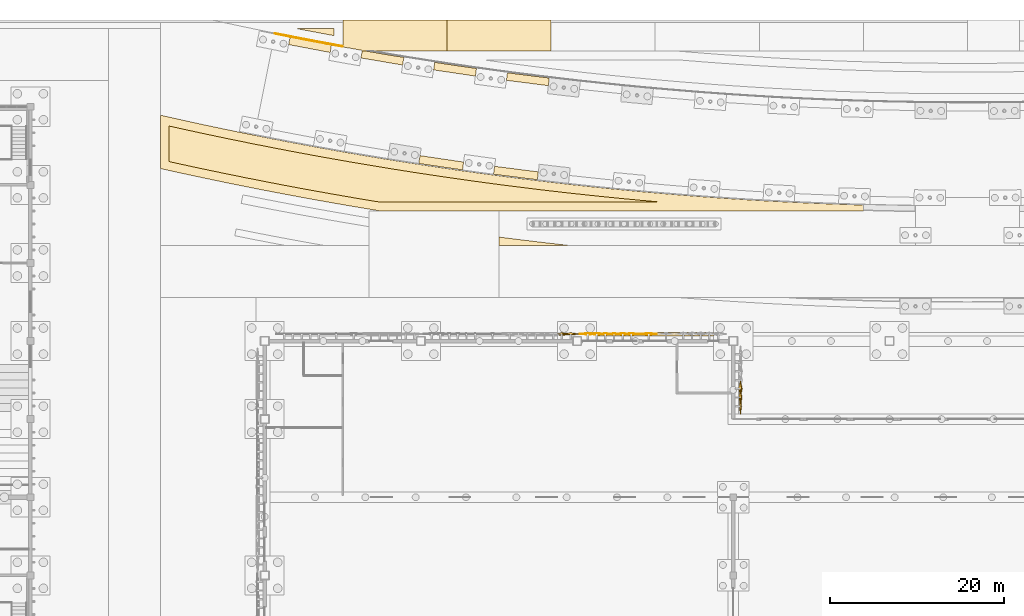
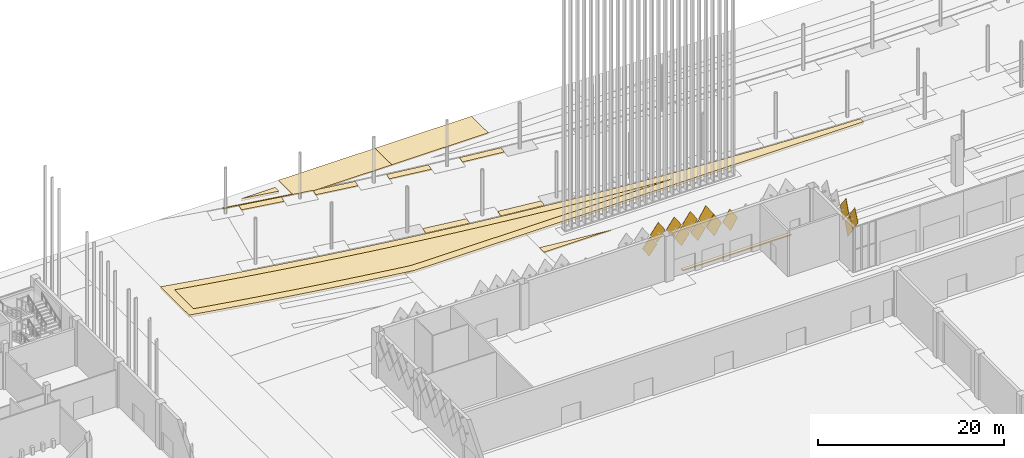
# One storey, part 171 of 198: 26 coverings.
"""IFC4 building model written with IfcOpenShell, lengths in metres."""

from ifc_helpers import new_model, si_unit, direction, frame, origin, place, context, subcontext, project, spatial, polyline, outline, extrude, material, layer, layer_set, material_profile, profile_set, type_object, element, save


model = new_model("IFC4")

# Units and contexts
model_context = context("Model", 3, precision=1e-05, world=origin(), true_north=direction((0.0, 1.0)))
body_context = subcontext(model_context, "Body", "Model", "MODEL_VIEW")
ifc_project = project(units=[si_unit("LENGTHUNIT", "METRE"), si_unit("AREAUNIT", "SQUARE_METRE"), si_unit("VOLUMEUNIT", "CUBIC_METRE"), si_unit("PLANEANGLEUNIT", "RADIAN"), si_unit("MASSUNIT", "GRAM", prefix="KILO")], contexts=[model_context])

# Site, building, storey
site_placement = place(None, origin())
site = spatial("IfcSite", under=ifc_project, at=site_placement, CompositionType="ELEMENT")
building_placement = place(site_placement, origin())
building = spatial("IfcBuilding", under=site, at=building_placement, Name="Opaline Strait Convention Centre", CompositionType="ELEMENT")
storey_placement = place(building_placement, origin())
storey = spatial("IfcBuildingStorey", under=building, at=storey_placement, Name="L00", CompositionType="ELEMENT", Elevation=0.0)

# Coverings
ifc_material_1 = material(Name="Asphalt road surfacing")
ifc_layer_1 = layer(ifc_material_1, 0.14990234375)
ifc_layer_set_1 = layer_set([ifc_layer_1], Name="Asphalt road surfacing")
covering_type_1 = type_object("IfcCoveringType", Name="Asphalt road surfacing 150", PredefinedType="FLOORING", material=ifc_layer_set_1)
covering_1_placement = place(storey_placement, frame((0.0, 0.0, -0.14990234375)))
element("IfcCovering", 1, at=covering_1_placement, inside=storey, type_object=covering_type_1, Name="Coach Bay 1 surfacing", PredefinedType="FLOORING", context=body_context, shape_type="SweptSolid", body=[
    extrude(outline(polyline([(120.0, 190.0), (108.0, 190.0), (108.0, 186.898681640625), (110.250732421875, 186.495361328125), (110.233642578125, 186.39990234375), (120.0, 186.39990234375), (120.0, 190.0)])), origin(), (0.0, 0.0, 1.0), 0.14990234375),
])
covering_2_placement = place(storey_placement, frame((0.0, 0.0, -0.14990234375)))
element("IfcCovering", 2, at=covering_2_placement, inside=storey, type_object=covering_type_1, Name="Coach Bay 2 surfacing", PredefinedType="FLOORING", context=body_context, shape_type="SweptSolid", body=[
    extrude(outline(polyline([(120.0, 190.0), (120.0, 186.39990234375), (132.0, 186.39990234375), (132.0, 190.0), (120.0, 190.0)])), origin(), (0.0, 0.0, 1.0), 0.14990234375),
])
ifc_material_2 = material(Name="White ceramic-faced aluminium tile", Category="aluminium")
ifc_material_profile_1 = material_profile(ifc_material_2, outline(polyline([(0.927978515625, 0.0), (0.0, 1.39208984375), (-0.927978515625, 0.0), (0.0, -1.39208984375), (0.927978515625, 0.0)])), Name="Diamond tile 1856x2784")
ifc_profile_set_1 = profile_set([ifc_material_profile_1], Name="White ceramic-faced aluminium tile")
covering_type_2 = type_object("IfcCoveringType", Name="Diamond wall tile 1856x2784x30 pivot 2.5 deg", PredefinedType="CLADDING", material=ifc_profile_set_1)
for number, where, z_axis, x_axis, name in (
    (3, (141.25, 153.800048828125, 4.39208984375), (0.0, 0.998812351125, -0.048722553713), (-1.0, 0.0, 0.0), "Wall tile XT05 N"),
    (4, (139.25, 153.800048828125, 4.39208984375), (0.0, 0.999174794796, 0.040616861577), (-1.0, 0.0, 0.0), "Wall tile XT05 N"),
    (5, (140.25, 153.800048828125, 5.89208984375), (0.0, 0.998812351125, -0.048722553713), (-1.0, 0.0, 0.0), "Wall tile XT05 N"),
    (6, (138.25, 153.800048828125, 5.89208984375), (0.0, 0.999174794796, 0.040616861577), (-1.0, 0.0, 0.0), "Wall tile XT05 N"),
):
    element("IfcCovering", number, at=place(storey_placement, frame(where, z_axis=z_axis, x_axis=x_axis)), inside=storey, type_object=covering_type_2, Name=name, PredefinedType="CLADDING", context=body_context, shape_type="SweptSolid", body=[
        extrude(outline(polyline([(0.927978515625, 0.0), (0.0, 1.39208984375), (-0.927978515625, 0.0), (0.0, -1.39208984375), (0.927978515625, 0.0)])), origin(), (0.0, 0.0, 1.0), 0.030029296875),
    ])
ifc_material_profile_2 = material_profile(ifc_material_2, outline(polyline([(0.927978515625, 0.0), (0.0, 1.39208984375), (-0.927978515625, 0.0), (0.0, -1.39208984375), (0.927978515625, 0.0)])), Name="Diamond tile 1856x2784")
ifc_profile_set_2 = profile_set([ifc_material_profile_2], Name="White ceramic-faced aluminium tile")
covering_type_3 = type_object("IfcCoveringType", Name="Diamond wall tile 1856x2784x30 pivot 3 deg", PredefinedType="CLADDING", material=ifc_profile_set_2)
covering_3_placement = place(storey_placement, frame((143.25, 153.800048828125, 4.39208984375), z_axis=(0.0, 0.998384516691, -0.056818631031), x_axis=(-1.0, 0.0, 0.0)))
element("IfcCovering", 7, at=covering_3_placement, inside=storey, type_object=covering_type_3, Name="Wall tile XT06 N", PredefinedType="CLADDING", context=body_context, shape_type="SweptSolid", body=[
    extrude(outline(polyline([(0.927978515625, 0.0), (0.0, 1.39208984375), (-0.927978515625, 0.0), (0.0, -1.39208984375), (0.927978515625, 0.0)])), origin(), (0.0, 0.0, 1.0), 0.030029296875),
])
ifc_material_profile_3 = material_profile(ifc_material_2, outline(polyline([(0.927978515625, 0.0), (0.0, 1.39208984375), (-0.927978515625, 0.0), (0.0, -1.39208984375), (0.927978515625, 0.0)])), Name="Diamond tile 1856x2784")
ifc_profile_set_3 = profile_set([ifc_material_profile_3], Name="White ceramic-faced aluminium tile")
covering_type_4 = type_object("IfcCoveringType", Name="Diamond wall tile 1856x2784x30 pivot 3.5 deg", PredefinedType="CLADDING", material=ifc_profile_set_3)
for number, where, z_axis, x_axis, name in (
    (8, (137.25, 153.800048828125, 4.39208984375), (0.0, 0.99835799028, 0.057282835508), (-1.0, 0.0, 0.0), "Wall tile XT07 N"),
    (9, (136.25, 153.800048828125, 5.89208984375), (0.0, 0.99835799028, 0.057282835508), (-1.0, 0.0, 0.0), "Wall tile XT07 N"),
):
    element("IfcCovering", number, at=place(storey_placement, frame(where, z_axis=z_axis, x_axis=x_axis)), inside=storey, type_object=covering_type_4, Name=name, PredefinedType="CLADDING", context=body_context, shape_type="SweptSolid", body=[
        extrude(outline(polyline([(0.927978515625, 0.0), (0.0, 1.39208984375), (-0.927978515625, 0.0), (0.0, -1.39208984375), (0.927978515625, 0.0)])), origin(), (0.0, 0.0, 1.0), 0.02978515625),
    ])
ifc_material_profile_4 = material_profile(ifc_material_2, outline(polyline([(0.927978515625, 0.0), (0.0, 1.39208984375), (-0.927978515625, 0.0), (0.0, -1.39208984375), (0.927978515625, 0.0)])), Name="Diamond tile 1856x2784")
ifc_profile_set_4 = profile_set([ifc_material_profile_4], Name="White ceramic-faced aluminium tile")
covering_type_5 = type_object("IfcCoveringType", Name="Diamond wall tile 1856x2784x30 pivot 5 deg", PredefinedType="CLADDING", material=ifc_profile_set_4)
for number, where, z_axis, x_axis, name in (
    (10, (134.25, 153.800048828125, 5.89208984375), (0.0, 0.996657521232, 0.081693239445), (-1.0, 0.0, 0.0), "Wall tile XT10 N"),
    (11, (153.800048828125, 145.5, 5.89208984375), (0.995959849254, 0.0, -0.089799658539), (0.0, 1.0, 0.0), "Wall tile XT10 RW"),
):
    element("IfcCovering", number, at=place(storey_placement, frame(where, z_axis=z_axis, x_axis=x_axis)), inside=storey, type_object=covering_type_5, Name=name, PredefinedType="CLADDING", context=body_context, shape_type="SweptSolid", body=[
        extrude(outline(polyline([(0.927978515625, 0.0), (0.0, 1.39208984375), (-0.927978515625, 0.0), (0.0, -1.39208984375), (0.927978515625, 0.0)])), origin(), (0.0, 0.0, 1.0), 0.02978515625),
    ])
ifc_material_profile_5 = material_profile(ifc_material_2, outline(polyline([(0.927978515625, 0.0), (0.0, 1.39208984375), (-0.927978515625, 0.0), (0.0, -1.39208984375), (0.927978515625, 0.0)])), Name="Diamond tile 1856x2784")
ifc_profile_set_5 = profile_set([ifc_material_profile_5], Name="White ceramic-faced aluminium tile")
covering_type_6 = type_object("IfcCoveringType", Name="Diamond wall tile 1856x2784x30 pivot 6.5 deg", PredefinedType="CLADDING", material=ifc_profile_set_5)
covering_4_placement = place(storey_placement, frame((133.25, 153.800048828125, 4.39208984375), z_axis=(0.0, 0.993480071526, 0.114005909847), x_axis=(-1.0, 0.0, 0.0)))
element("IfcCovering", 12, at=covering_4_placement, inside=storey, type_object=covering_type_6, Name="Wall tile XT13 N", PredefinedType="CLADDING", context=body_context, shape_type="SweptSolid", body=[
    extrude(outline(polyline([(0.927978515625, 0.0), (0.0, 1.39208984375), (-0.927978515625, 0.0), (0.0, -1.39208984375), (0.927978515625, 0.0)])), origin(), (0.0, 0.0, 1.0), 0.030029296875),
])
ifc_material_profile_6 = material_profile(ifc_material_2, outline(polyline([(0.927978515625, 0.0), (0.0, 1.39208984375), (-0.927978515625, 0.0), (0.0, -1.39208984375), (0.927978515625, 0.0)])), Name="Diamond tile 1856x2784")
ifc_profile_set_6 = profile_set([ifc_material_profile_6], Name="White ceramic-faced aluminium tile")
covering_type_7 = type_object("IfcCoveringType", Name="Diamond wall tile 1856x2784x30 pivot 7 deg", PredefinedType="CLADDING", material=ifc_profile_set_6)
covering_5_placement = place(storey_placement, frame((153.800048828125, 146.5, 4.39208984375), z_axis=(0.992526177815, 0.0, -0.122031907108), x_axis=(0.0, 1.0, 0.0)))
element("IfcCovering", 13, at=covering_5_placement, inside=storey, type_object=covering_type_7, Name="Wall tile XT14 RW", PredefinedType="CLADDING", context=body_context, shape_type="SweptSolid", body=[
    extrude(outline(polyline([(0.927978515625, 0.0), (0.0, 1.39208984375), (-0.927978515625, 0.0), (0.0, -1.39208984375), (0.927978515625, 0.0)])), origin(), (0.0, 0.0, 1.0), 0.030029296875),
])
ifc_material_profile_7 = material_profile(ifc_material_2, outline(polyline([(0.927978515625, 0.0), (0.0, 1.39208984375), (-0.927978515625, 0.0), (0.0, -1.39208984375), (0.927978515625, 0.0)])), Name="Diamond tile 1856x2784")
ifc_profile_set_7 = profile_set([ifc_material_profile_7], Name="White ceramic-faced aluminium tile")
covering_type_8 = type_object("IfcCoveringType", Name="Diamond wall tile 1856x2784x30 pivot 8 deg", PredefinedType="CLADDING", material=ifc_profile_set_7)
covering_6_placement = place(storey_placement, frame((153.800048828125, 147.5, 5.89208984375), z_axis=(0.990274204789, 0.0, -0.139129433731), x_axis=(0.0, 1.0, 0.0)))
element("IfcCovering", 14, at=covering_6_placement, inside=storey, type_object=covering_type_8, Name="Wall tile XT16 RW", PredefinedType="CLADDING", context=body_context, shape_type="SweptSolid", body=[
    extrude(outline(polyline([(0.927978515625, 0.0), (0.0, 1.39208984375), (-0.927978515625, 0.0), (0.0, -1.39208984375), (0.927978515625, 0.0)])), origin(), (0.0, 0.0, 1.0), 0.02978515625),
])
ifc_material_3 = material(Name="Granite paving slabs on mortar bed", Category="masonry")
ifc_layer_2 = layer(ifc_material_3, 0.14990234375)
ifc_layer_set_2 = layer_set([ifc_layer_2], Name="Granite paving slabs on mortar bed")
covering_type_9 = type_object("IfcCoveringType", Name="Granite paving 150", PredefinedType="FLOORING", material=ifc_layer_set_2)
covering_7_placement = place(storey_placement, frame((0.0, 0.0, -0.14990234375)))
element("IfcCovering", 15, at=covering_7_placement, inside=storey, type_object=covering_type_9, Name="Forecourt surfacing", PredefinedType="FLOORING", context=body_context, shape_type="SweptSolid", body=[
    extrude(outline(polyline([(130.426513671875, 171.59130859375), (130.531982421875, 172.499267578125), (125.496337890625, 173.1376953125), (125.3720703125, 172.23291015625), (126.574951171875, 172.073486328125), (126.603759765625, 172.069580078125), (128.62890625, 171.811279296875), (128.65771484375, 171.807861328125), (130.426513671875, 171.59130859375)])), origin(), (0.0, 0.0, 1.0), 0.14990234375),
])
covering_8_placement = place(storey_placement, frame((0.0, 0.0, -0.14990234375)))
element("IfcCovering", 16, at=covering_8_placement, inside=storey, type_object=covering_type_9, Name="Forecourt surfacing", PredefinedType="FLOORING", context=body_context, shape_type="SweptSolid", body=[
    extrude(outline(polyline([(120.4140625, 172.920654296875), (120.442626953125, 172.91650390625), (121.795654296875, 172.723876953125), (121.919921875, 173.62890625), (116.8994140625, 174.370849609375), (116.756591796875, 173.46826171875), (118.360595703125, 173.2236328125), (118.38916015625, 173.219482421875), (120.4140625, 172.920654296875)])), origin(), (0.0, 0.0, 1.0), 0.14990234375),
])
covering_9_placement = place(storey_placement, frame((0.0, 0.0, -0.14990234375)))
element("IfcCovering", 17, at=covering_9_placement, inside=storey, type_object=covering_type_9, Name="Forecourt surfacing", PredefinedType="FLOORING", context=body_context, shape_type="SweptSolid", body=[
    extrude(outline(polyline([(126.977294921875, 183.923095703125), (126.856689453125, 183.044921875), (131.687255859375, 182.432373046875), (131.78955078125, 183.3125), (130.106689453125, 183.5185546875), (128.110595703125, 183.77294921875), (126.934326171875, 183.928955078125), (126.977294921875, 183.923095703125)])), origin(), (0.0, 0.0, 1.0), 0.14990234375),
])
covering_10_placement = place(storey_placement, frame((0.0, 0.0, -0.14990234375)))
element("IfcCovering", 18, at=covering_10_placement, inside=storey, type_object=covering_type_9, Name="Forecourt surfacing", PredefinedType="FLOORING", context=body_context, shape_type="SweptSolid", body=[
    extrude(outline(polyline([(118.6015625, 185.123291015625), (118.462890625, 184.247802734375), (123.280517578125, 183.535888671875), (123.40087890625, 184.4140625), (123.43408203125, 184.409423828125), (122.12158203125, 184.596435546875), (120.125244140625, 184.89111328125), (118.6015625, 185.123291015625)])), origin(), (0.0, 0.0, 1.0), 0.14990234375),
])
covering_11_placement = place(storey_placement, frame((0.0, 0.0, -0.14990234375)))
element("IfcCovering", 19, at=covering_11_placement, inside=storey, type_object=covering_type_9, Name="Forecourt surfacing", PredefinedType="FLOORING", context=body_context, shape_type="SweptSolid", body=[
    extrude(outline(polyline([(110.233642578125, 186.39990234375), (110.09423828125, 185.62255859375), (114.897216796875, 184.81201171875), (115.035888671875, 185.687744140625), (115.093994140625, 185.6787109375), (114.135498046875, 185.83447265625), (112.138916015625, 186.168701171875), (110.798583984375, 186.39990234375), (110.233642578125, 186.39990234375)])), origin(), (0.0, 0.0, 1.0), 0.14990234375),
])
covering_12_placement = place(storey_placement, frame((0.0, 0.0, -0.14990234375)))
element("IfcCovering", 20, at=covering_12_placement, inside=storey, type_object=covering_type_9, Name="Forecourt surfacing", PredefinedType="FLOORING", context=body_context, shape_type="SweptSolid", body=[
    extrude(outline(polyline([(101.927978515625, 188.03564453125), (101.754150390625, 187.166748046875), (106.541015625, 186.259033203125), (106.697265625, 187.1318359375), (106.148193359375, 187.232177734375), (104.1513671875, 187.606689453125), (102.154296875, 187.990966796875), (101.927978515625, 188.03564453125)])), origin(), (0.0, 0.0, 1.0), 0.14990234375),
])
ifc_material_4 = material(Name="Limestone paving slabs on mortar bed", Category="masonry")
ifc_layer_3 = layer(ifc_material_4, 0.14990234375)
ifc_layer_set_3 = layer_set([ifc_layer_3], Name="Limestone paving slabs on mortar bed")
covering_type_10 = type_object("IfcCoveringType", Name="Limestone court paving 150", PredefinedType="FLOORING", material=ifc_layer_set_3)
covering_13_placement = place(storey_placement, frame((0.0, 0.0, -0.14990234375)))
element("IfcCovering", 21, at=covering_13_placement, inside=storey, type_object=covering_type_10, Name="Forecourt paving band 1 surfacing", PredefinedType="FLOORING", context=body_context, shape_type="SweptSolid", body=[
    extrude(outline(polyline([(129.8193359375, 164.512451171875), (127.794189453125, 164.760498046875), (127.730712890625, 164.7685546875), (126.0, 164.989013671875), (126.0, 164.0), (134.29052734375, 164.0), (134.060546875, 164.024658203125), (133.99658203125, 164.03173828125), (131.9716796875, 164.259521484375), (131.907958984375, 164.266845703125), (129.8828125, 164.5048828125), (129.8193359375, 164.512451171875)])), origin(), (0.0, 0.0, 1.0), 0.14990234375),
])
ifc_material_5 = material(Name="Permeable concrete block paving C30", Category="concrete")
ifc_layer_4 = layer(ifc_material_5, 0.14990234375)
ifc_layer_set_4 = layer_set([ifc_layer_4], Name="Permeable concrete block paving C30")
covering_type_11 = type_object("IfcCoveringType", Name="Permeable block paving 150", PredefinedType="FLOORING", material=ifc_layer_set_4)
covering_14_placement = place(storey_placement, frame((0.0, 0.0, -0.14990234375)))
element("IfcCovering", 22, at=covering_14_placement, inside=storey, type_object=covering_type_11, Name="Arcade edge strip surfacing", PredefinedType="FLOORING", context=body_context, shape_type="SweptSolid", body=[
    extrude(outline(polyline([(102.154296875, 187.990966796875), (104.1513671875, 187.606689453125), (106.148193359375, 187.232177734375), (106.697265625, 187.1318359375), (106.697509765625, 187.132080078125), (108.0, 186.898681640625), (108.0, 186.99560546875), (106.092529296875, 187.34423828125), (104.12060546875, 187.714111328125), (102.148681640625, 188.093994140625), (100.1767578125, 188.4833984375), (100.16259765625, 188.486328125), (100.14404296875, 188.39306640625), (101.927978515625, 188.036376953125), (101.927978515625, 188.03564453125), (102.154296875, 187.990966796875)])), origin(), (0.0, 0.0, 1.0), 0.14990234375),
])
ifc_material_6 = material(Name="Planting soil and turf")
ifc_layer_5 = layer(ifc_material_6, 0.300048828125)
ifc_layer_set_5 = layer_set([ifc_layer_5], Name="Planting soil and turf")
covering_type_12 = type_object("IfcCoveringType", Name="Planted bed 300", PredefinedType="USERDEFINED", material=ifc_layer_set_5)
covering_15_placement = place(storey_placement, frame((0.0, 0.0, -0.300048828125)))
element("IfcCovering", 23, at=covering_15_placement, inside=storey, type_object=covering_type_12, Name="Strait Garden West surfacing", ObjectType="LANDSCAPE", PredefinedType="USERDEFINED", context=body_context, shape_type="SweptSolid", body=[
    extrude(outline(polyline([(91.753662109375, 177.975341796875), (91.72607421875, 177.981201171875), (89.72607421875, 178.415771484375), (89.698486328125, 178.421875), (87.698486328125, 178.8662109375), (87.6708984375, 178.87255859375), (87.0, 179.02490234375), (87.0, 172.875244140625), (88.396728515625, 172.564697265625), (88.451904296875, 172.552490234375), (90.451904296875, 172.1181640625), (90.50732421875, 172.106201171875), (92.50732421875, 171.681396484375), (92.56298828125, 171.669921875), (94.56298828125, 171.2548828125), (94.61865234375, 171.24365234375), (96.61865234375, 170.838623046875), (96.674560546875, 170.827392578125), (98.674560546875, 170.432373046875), (98.730712890625, 170.42138671875), (100.730712890625, 170.036376953125), (100.786865234375, 170.025634765625), (102.786865234375, 169.650390625), (102.843017578125, 169.639892578125), (104.843017578125, 169.2744140625), (104.899658203125, 169.264404296875), (106.899658203125, 168.90869140625), (106.956298828125, 168.898681640625), (108.956298828125, 168.552978515625), (109.012939453125, 168.54345703125), (111.012939453125, 168.20751953125), (111.06982421875, 168.1982421875), (112.2861328125, 168.0), (126.0, 168.0), (168.0, 168.0), (168.0, 168.676513671875), (166.822265625, 168.711181640625), (166.792724609375, 168.712158203125), (164.792724609375, 168.781494140625), (164.76318359375, 168.782470703125), (162.76318359375, 168.861572265625), (162.733642578125, 168.86279296875), (160.733642578125, 168.95166015625), (160.7041015625, 168.952880859375), (158.7041015625, 169.0517578125), (158.674560546875, 169.05322265625), (156.674560546875, 169.161865234375), (156.64501953125, 169.16357421875), (154.64501953125, 169.281982421875), (154.615478515625, 169.283935546875), (152.615478515625, 169.412353515625), (152.586181640625, 169.414306640625), (150.586181640625, 169.552490234375), (150.556884765625, 169.5546875), (148.556884765625, 169.702880859375), (148.52734375, 169.705078125), (146.52734375, 169.863037109375), (146.498046875, 169.865478515625), (144.498046875, 170.033447265625), (144.46875, 170.035888671875), (142.46875, 170.213623046875), (142.439453125, 170.21630859375), (140.439453125, 170.404052734375), (140.410400390625, 170.40673828125), (138.410400390625, 170.6044921875), (138.381103515625, 170.607421875), (136.381103515625, 170.814697265625), (136.35205078125, 170.81787109375), (134.35205078125, 171.03515625), (134.322998046875, 171.038330078125), (132.322998046875, 171.265380859375), (132.293701171875, 171.268798828125), (130.293701171875, 171.505859375), (130.264892578125, 171.509521484375), (128.264892578125, 171.75634765625), (128.23583984375, 171.760009765625), (126.23583984375, 172.016845703125), (126.20703125, 172.0205078125), (124.20703125, 172.287109375), (124.17822265625, 172.291015625), (122.17822265625, 172.567626953125), (122.1494140625, 172.57177734375), (120.1494140625, 172.858154296875), (120.12060546875, 172.8623046875), (118.12060546875, 173.15869140625), (118.092041015625, 173.162841796875), (116.092041015625, 173.468994140625), (116.0634765625, 173.473388671875), (114.0634765625, 173.78955078125), (114.034912109375, 173.794189453125), (112.034912109375, 174.1201171875), (112.006591796875, 174.124755859375), (110.006591796875, 174.460693359375), (109.97802734375, 174.46533203125), (107.97802734375, 174.81103515625), (107.94970703125, 174.816162109375), (105.94970703125, 175.171630859375), (105.921630859375, 175.1767578125), (103.921630859375, 175.542236328125), (103.893310546875, 175.54736328125), (101.893310546875, 175.922607421875), (101.865234375, 175.927978515625), (99.865234375, 176.313232421875), (99.83740234375, 176.318603515625), (97.83740234375, 176.713623046875), (97.809326171875, 176.71923828125), (95.809326171875, 177.124267578125), (95.781494140625, 177.1298828125), (93.781494140625, 177.544921875), (93.753662109375, 177.550537109375), (91.753662109375, 177.975341796875)]), holes=[polyline([(88.612548828125, 173.541259765625), (88.0, 173.67724609375), (88.0, 177.77490234375), (89.4814453125, 177.44580078125), (89.48388671875, 177.4453125), (89.511474609375, 177.439208984375), (89.513671875, 177.438720703125), (91.513671875, 177.004150390625), (91.51611328125, 177.003662109375), (91.543701171875, 176.99755859375), (91.5458984375, 176.9970703125), (93.5458984375, 176.572509765625), (93.54833984375, 176.572021484375), (93.576171875, 176.566162109375), (93.578369140625, 176.565673828125), (95.578369140625, 176.15087890625), (95.580810546875, 176.150390625), (95.608642578125, 176.14453125), (95.61083984375, 176.144287109375), (97.61083984375, 175.7392578125), (97.61328125, 175.73876953125), (97.64111328125, 175.733154296875), (97.6435546875, 175.732666015625), (99.6435546875, 175.337646484375), (99.645751953125, 175.337158203125), (99.673828125, 175.331787109375), (99.67626953125, 175.331298828125), (101.67626953125, 174.946044921875), (101.678466796875, 174.945556640625), (101.70654296875, 174.940185546875), (101.708984375, 174.939697265625), (103.708984375, 174.564453125), (103.711181640625, 174.564208984375), (103.739501953125, 174.558837890625), (103.74169921875, 174.558349609375), (105.74169921875, 174.193115234375), (105.744140625, 174.192626953125), (105.7724609375, 174.1875), (105.77490234375, 174.18701171875), (107.77490234375, 173.83154296875), (107.777099609375, 173.8310546875), (107.805419921875, 173.826171875), (107.807861328125, 173.82568359375), (109.807861328125, 173.47998046875), (109.810302734375, 173.4794921875), (109.83837890625, 173.474853515625), (109.8408203125, 173.474365234375), (111.8408203125, 173.138671875), (111.84326171875, 173.13818359375), (111.87158203125, 173.133544921875), (111.8740234375, 173.133056640625), (113.8740234375, 172.80712890625), (113.87646484375, 172.806884765625), (113.905029296875, 172.80224609375), (113.907470703125, 172.8017578125), (115.907470703125, 172.48583984375), (115.909912109375, 172.4853515625), (115.9384765625, 172.48095703125), (115.940673828125, 172.480712890625), (117.940673828125, 172.17431640625), (117.943115234375, 172.174072265625), (117.9716796875, 172.169921875), (117.97412109375, 172.16943359375), (119.97412109375, 171.873046875), (119.9765625, 171.872802734375), (120.00537109375, 171.86865234375), (120.0078125, 171.8681640625), (122.0078125, 171.581787109375), (122.010009765625, 171.58154296875), (122.038818359375, 171.577392578125), (122.041259765625, 171.5771484375), (124.041259765625, 171.300537109375), (124.043701171875, 171.30029296875), (124.072509765625, 171.29638671875), (124.074951171875, 171.2958984375), (126.074951171875, 171.029296875), (126.077392578125, 171.029052734375), (126.106201171875, 171.025146484375), (126.108642578125, 171.02490234375), (128.108642578125, 170.76806640625), (128.111083984375, 170.767822265625), (128.139892578125, 170.76416015625), (128.142333984375, 170.763916015625), (130.142333984375, 170.516845703125), (130.144775390625, 170.5166015625), (130.173583984375, 170.51318359375), (130.176025390625, 170.5126953125), (132.176025390625, 170.27587890625), (132.1787109375, 170.275390625), (132.20751953125, 170.272216796875), (132.2099609375, 170.27197265625), (134.2099609375, 170.044677734375), (134.21240234375, 170.04443359375), (134.241455078125, 170.041259765625), (134.243896484375, 170.041015625), (136.243896484375, 169.82373046875), (136.246337890625, 169.823486328125), (136.275390625, 169.8203125), (136.27783203125, 169.820068359375), (138.27783203125, 169.612548828125), (138.280517578125, 169.6123046875), (138.3095703125, 169.609375), (138.31201171875, 169.609130859375), (140.31201171875, 169.41162109375), (140.314453125, 169.411376953125), (140.343505859375, 169.40869140625), (140.34619140625, 169.408447265625), (142.34619140625, 169.220703125), (142.348388671875, 169.220458984375), (142.377685546875, 169.2177734375), (142.380126953125, 169.217529296875), (144.380126953125, 169.039794921875), (144.3828125, 169.03955078125), (144.412109375, 169.037109375), (144.414306640625, 169.036865234375), (144.853759765625, 169.0), (112.3671875, 169.0), (111.23193359375, 169.18505859375), (111.177490234375, 169.194091796875), (109.1796875, 169.529296875), (109.12548828125, 169.538818359375), (107.127685546875, 169.884033203125), (107.073486328125, 169.8935546875), (105.07568359375, 170.24853515625), (105.021728515625, 170.25830078125), (103.02392578125, 170.623291015625), (102.969970703125, 170.63330078125), (100.972412109375, 171.00830078125), (100.91845703125, 171.0185546875), (98.9208984375, 171.4033203125), (98.8671875, 171.413818359375), (96.869384765625, 171.808349609375), (96.81591796875, 171.819091796875), (94.818359375, 172.223388671875), (94.764892578125, 172.234375), (92.76708984375, 172.648681640625), (92.714111328125, 172.659912109375), (90.71630859375, 173.083984375), (90.6630859375, 173.095458984375), (88.66552734375, 173.529541015625), (88.612548828125, 173.541259765625)])]), origin(), (0.0, 0.0, 1.0), 0.300048828125),
])
ifc_material_7 = material(Name="Planting soil and shrub planting")
ifc_layer_6 = layer(ifc_material_7, 0.300048828125)
ifc_layer_set_6 = layer_set([ifc_layer_6], Name="Planting soil and shrub planting")
covering_type_13 = type_object("IfcCoveringType", Name="Planted border bed 300", PredefinedType="USERDEFINED", material=ifc_layer_set_6)
covering_16_placement = place(storey_placement, frame((0.0, 0.0, -0.300048828125)))
element("IfcCovering", 24, at=covering_16_placement, inside=storey, type_object=covering_type_13, Name="Strait Garden North 2 bed surfacing", ObjectType="LANDSCAPE", PredefinedType="USERDEFINED", context=body_context, shape_type="SweptSolid", body=[
    extrude(outline(polyline([(106.274658203125, 188.327392578125), (107.0, 188.19482421875), (107.0, 189.0), (102.73193359375, 189.0), (104.307373046875, 188.696533203125), (106.274658203125, 188.327392578125)])), origin(), (0.0, 0.0, 1.0), 0.300048828125),
])
covering_17_placement = place(storey_placement, frame((0.0, 0.0, -0.300048828125)))
element("IfcCovering", 25, at=covering_17_placement, inside=storey, type_object=covering_type_13, Name="Strait Garden West bed surfacing", ObjectType="LANDSCAPE", PredefinedType="USERDEFINED", context=body_context, shape_type="SweptSolid", body=[
    extrude(outline(polyline([(89.511474609375, 177.439208984375), (89.48388671875, 177.4453125), (89.4814453125, 177.44580078125), (88.0, 177.77490234375), (88.0, 173.67724609375), (88.612548828125, 173.541259765625), (88.66552734375, 173.529541015625), (90.6630859375, 173.095458984375), (90.71630859375, 173.083984375), (92.714111328125, 172.659912109375), (92.76708984375, 172.648681640625), (94.764892578125, 172.234375), (94.818359375, 172.223388671875), (96.81591796875, 171.819091796875), (96.869384765625, 171.808349609375), (98.8671875, 171.413818359375), (98.9208984375, 171.4033203125), (100.91845703125, 171.0185546875), (100.972412109375, 171.00830078125), (102.969970703125, 170.63330078125), (103.02392578125, 170.623291015625), (105.021728515625, 170.25830078125), (105.07568359375, 170.24853515625), (107.073486328125, 169.8935546875), (107.127685546875, 169.884033203125), (109.12548828125, 169.538818359375), (109.1796875, 169.529296875), (111.177490234375, 169.194091796875), (111.23193359375, 169.18505859375), (112.3671875, 169.0), (144.853759765625, 169.0), (144.414306640625, 169.036865234375), (144.412109375, 169.037109375), (144.3828125, 169.03955078125), (144.380126953125, 169.039794921875), (142.380126953125, 169.217529296875), (142.377685546875, 169.2177734375), (142.348388671875, 169.220458984375), (142.34619140625, 169.220703125), (140.34619140625, 169.408447265625), (140.343505859375, 169.40869140625), (140.314453125, 169.411376953125), (140.31201171875, 169.41162109375), (138.31201171875, 169.609130859375), (138.3095703125, 169.609375), (138.280517578125, 169.6123046875), (138.27783203125, 169.612548828125), (136.27783203125, 169.820068359375), (136.275390625, 169.8203125), (136.246337890625, 169.823486328125), (136.243896484375, 169.82373046875), (134.243896484375, 170.041015625), (134.241455078125, 170.041259765625), (134.21240234375, 170.04443359375), (134.2099609375, 170.044677734375), (132.2099609375, 170.27197265625), (132.20751953125, 170.272216796875), (132.1787109375, 170.275390625), (132.176025390625, 170.27587890625), (130.176025390625, 170.5126953125), (130.173583984375, 170.51318359375), (130.144775390625, 170.5166015625), (130.142333984375, 170.516845703125), (128.142333984375, 170.763916015625), (128.139892578125, 170.76416015625), (128.111083984375, 170.767822265625), (128.108642578125, 170.76806640625), (126.108642578125, 171.02490234375), (126.106201171875, 171.025146484375), (126.077392578125, 171.029052734375), (126.074951171875, 171.029296875), (124.074951171875, 171.2958984375), (124.072509765625, 171.29638671875), (124.043701171875, 171.30029296875), (124.041259765625, 171.300537109375), (122.041259765625, 171.5771484375), (122.038818359375, 171.577392578125), (122.010009765625, 171.58154296875), (122.0078125, 171.581787109375), (120.0078125, 171.8681640625), (120.00537109375, 171.86865234375), (119.9765625, 171.872802734375), (119.97412109375, 171.873046875), (117.97412109375, 172.16943359375), (117.9716796875, 172.169921875), (117.943115234375, 172.174072265625), (117.940673828125, 172.17431640625), (115.940673828125, 172.480712890625), (115.9384765625, 172.48095703125), (115.909912109375, 172.4853515625), (115.907470703125, 172.48583984375), (113.907470703125, 172.8017578125), (113.905029296875, 172.80224609375), (113.87646484375, 172.806884765625), (113.8740234375, 172.80712890625), (111.8740234375, 173.133056640625), (111.87158203125, 173.133544921875), (111.84326171875, 173.13818359375), (111.8408203125, 173.138671875), (109.8408203125, 173.474365234375), (109.83837890625, 173.474853515625), (109.810302734375, 173.4794921875), (109.807861328125, 173.47998046875), (107.807861328125, 173.82568359375), (107.805419921875, 173.826171875), (107.777099609375, 173.8310546875), (107.77490234375, 173.83154296875), (105.77490234375, 174.18701171875), (105.7724609375, 174.1875), (105.744140625, 174.192626953125), (105.74169921875, 174.193115234375), (103.74169921875, 174.558349609375), (103.739501953125, 174.558837890625), (103.711181640625, 174.564208984375), (103.708984375, 174.564453125), (101.708984375, 174.939697265625), (101.70654296875, 174.940185546875), (101.678466796875, 174.945556640625), (101.67626953125, 174.946044921875), (99.67626953125, 175.331298828125), (99.673828125, 175.331787109375), (99.645751953125, 175.337158203125), (99.6435546875, 175.337646484375), (97.6435546875, 175.732666015625), (97.64111328125, 175.733154296875), (97.61328125, 175.73876953125), (97.61083984375, 175.7392578125), (95.61083984375, 176.144287109375), (95.608642578125, 176.14453125), (95.580810546875, 176.150390625), (95.578369140625, 176.15087890625), (93.578369140625, 176.565673828125), (93.576171875, 176.566162109375), (93.54833984375, 176.572021484375), (93.5458984375, 176.572509765625), (91.5458984375, 176.9970703125), (91.543701171875, 176.99755859375), (91.51611328125, 177.003662109375), (91.513671875, 177.004150390625), (89.513671875, 177.438720703125), (89.511474609375, 177.439208984375)])), origin(), (0.0, 0.0, 1.0), 0.300048828125),
])
ifc_material_8 = material(Name="Concrete C30 exposed aggregate", Category="concrete")
ifc_layer_7 = layer(ifc_material_8, 0.14990234375)
ifc_layer_set_7 = layer_set([ifc_layer_7], Name="Concrete C30 exposed aggregate")
covering_type_14 = type_object("IfcCoveringType", Name="Site paving 150", PredefinedType="FLOORING", material=ifc_layer_set_7)
covering_18_placement = place(storey_placement, frame((0.0, 0.0, -0.14990234375)))
element("IfcCovering", 26, at=covering_18_placement, inside=storey, type_object=covering_type_14, Name="Site paving surfacing", PredefinedType="FLOORING", context=body_context, shape_type="SweptSolid", body=[
    extrude(outline(polyline([(150.7451171875, 153.60498046875), (150.7451171875, 154.0), (137.2548828125, 154.0), (137.2548828125, 153.60498046875), (150.7451171875, 153.60498046875)])), origin(), (0.0, 0.0, 1.0), 0.14990234375),
])

save(model, "model.ifc")
